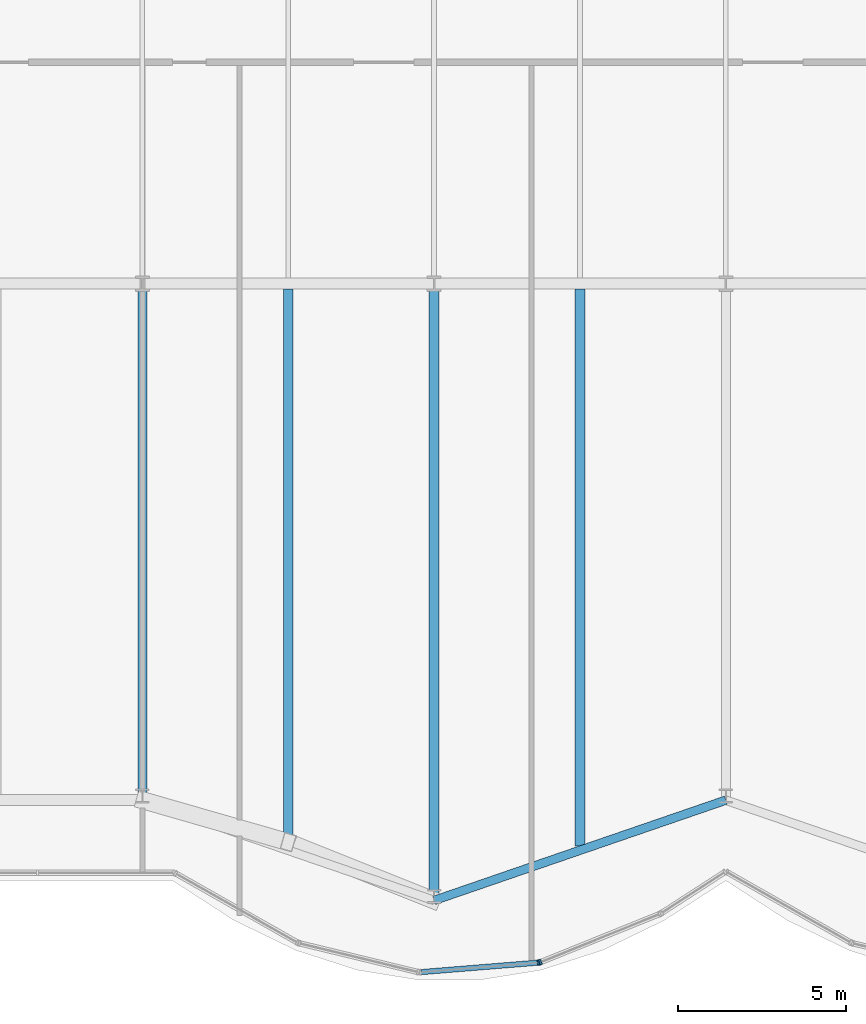
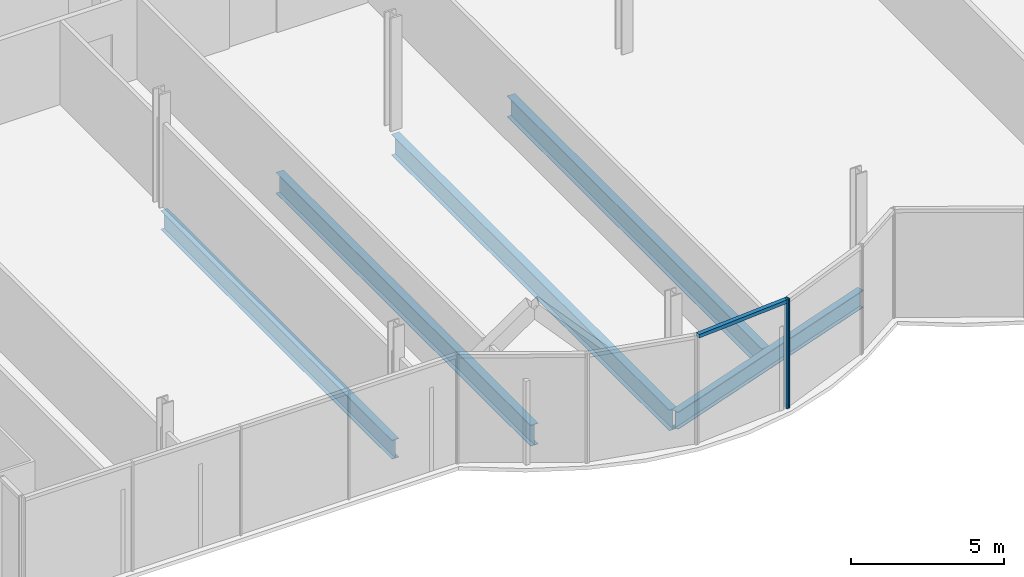
# One storey, part 5 of 21: 5 beams, 3 members, 1 element without a shape of its own.
"""IFC4 building model written with IfcOpenShell, lengths in metres."""

from ifc_helpers import new_model, si_unit, direction, frame, origin, origin_2d, place, context, subcontext, project, spatial, rectangle, i_section, extrude, material, material_profile, profile_set, type_object, element, aggregate, save


model = new_model("IFC4")

# Units and contexts
model_context = context("Model", 3, precision=1e-05, world=origin(), true_north=direction((0.0, 1.0)))
body_context = subcontext(model_context, "Body", "Model", "MODEL_VIEW")
ifc_project = project(units=[si_unit("LENGTHUNIT", "METRE"), si_unit("AREAUNIT", "SQUARE_METRE"), si_unit("VOLUMEUNIT", "CUBIC_METRE"), si_unit("PLANEANGLEUNIT", "RADIAN"), si_unit("MASSUNIT", "GRAM", prefix="KILO")], contexts=[model_context])

# Site, building, storey
site_placement = place(None, origin())
site = spatial("IfcSite", under=ifc_project, at=site_placement, CompositionType="ELEMENT")
building_placement = place(site_placement, origin())
building = spatial("IfcBuilding", under=site, at=building_placement, Name="Bicima Exchange Tower", CompositionType="ELEMENT")
storey_placement = place(building_placement, frame((0.0, 0.0, 75.5)))
storey = spatial("IfcBuildingStorey", under=building, at=storey_placement, Name="L15", CompositionType="ELEMENT", Elevation=75.5)

# Beams
ifc_material_1 = material(Name="Steel ASTM A992 Gr 50", Category="steel")
ifc_material_profile_1 = material_profile(ifc_material_1, i_section(OverallWidth=0.2666015625, OverallDepth=0.75439453125, WebThickness=0.01318359375, FlangeThickness=0.01708984375, at=origin_2d()))
ifc_profile_set_1 = profile_set([ifc_material_profile_1], Name="Steel ASTM A992 Gr 50")
beam_type_1 = type_object("IfcBeamType", Name="Floor beam W30x99", PredefinedType="JOIST", material=ifc_profile_set_1)
beam_1_placement = place(storey_placement, frame((-17.39990234375, -22.16259765625, -0.527099609375), z_axis=(0.0, -1.0, 0.0), x_axis=(1.0, 0.0, 0.0)))
element("IfcBeam", 1, at=beam_1_placement, inside=storey, type_object=beam_type_1, Name="Floor beam", PredefinedType="JOIST", context=body_context, shape_type="SweptSolid", body=[
    extrude(i_section(OverallWidth=0.2666015625, OverallDepth=0.75439453125, WebThickness=0.01318359375, FlangeThickness=0.01708984375, at=origin_2d()), origin(), (0.0, 0.0, 1.0), 15.078857421875),
])
ifc_material_profile_2 = material_profile(ifc_material_1, i_section(OverallWidth=0.2919921875, OverallDepth=0.835693359375, WebThickness=0.013916015625, FlangeThickness=0.018798828125, at=origin_2d()))
ifc_profile_set_2 = profile_set([ifc_material_profile_2], Name="Steel ASTM A992 Gr 50")
beam_type_2 = type_object("IfcBeamType", Name="Floor beam W33x118", PredefinedType="JOIST", material=ifc_profile_set_2)
beam_2_placement = place(storey_placement, frame((-13.050048828125, -22.16259765625, -0.56787109375), z_axis=(0.0, -1.0, 0.0), x_axis=(1.0, 0.0, 0.0)))
element("IfcBeam", 2, at=beam_2_placement, inside=storey, type_object=beam_type_2, Name="Floor beam", PredefinedType="JOIST", context=body_context, shape_type="SweptSolid", body=[
    extrude(i_section(OverallWidth=0.2919921875, OverallDepth=0.835693359375, WebThickness=0.013916015625, FlangeThickness=0.018798828125, at=origin_2d()), origin(), (0.0, 0.0, 1.0), 16.601318359375),
])
beam_3_placement = place(storey_placement, frame((-8.699951171875, -22.16259765625, -0.56787109375), z_axis=(0.0, -1.0, 0.0), x_axis=(1.0, 0.0, 0.0)))
element("IfcBeam", 3, at=beam_3_placement, inside=storey, type_object=beam_type_2, Name="Floor beam", PredefinedType="JOIST", context=body_context, shape_type="SweptSolid", body=[
    extrude(i_section(OverallWidth=0.2919921875, OverallDepth=0.835693359375, WebThickness=0.013916015625, FlangeThickness=0.018798828125, at=origin_2d()), origin(), (0.0, 0.0, 1.0), 18.096923828125),
])
beam_4_placement = place(storey_placement, frame((-4.35009765625, -22.16259765625, -0.56787109375), z_axis=(0.0, -1.0, 0.0), x_axis=(1.0, 0.0, 0.0)))
element("IfcBeam", 4, at=beam_4_placement, inside=storey, type_object=beam_type_2, Name="Floor beam", PredefinedType="JOIST", context=body_context, shape_type="SweptSolid", body=[
    extrude(i_section(OverallWidth=0.2919921875, OverallDepth=0.835693359375, WebThickness=0.013916015625, FlangeThickness=0.018798828125, at=origin_2d()), origin(), (0.0, 0.0, 1.0), 16.601318359375),
])
ifc_material_profile_3 = material_profile(ifc_material_1, i_section(OverallWidth=0.256591796875, OverallDepth=0.693359375, WebThickness=0.014404296875, FlangeThickness=0.023681640625, at=origin_2d()))
ifc_profile_set_3 = profile_set([ifc_material_profile_3], Name="Steel ASTM A992 Gr 50")
beam_type_3 = type_object("IfcBeamType", Name="Front girder W27x114", PredefinedType="BEAM", material=ifc_profile_set_3)
beam_5_placement = place(storey_placement, frame((-8.699951171875, -40.39501953125, -0.49658203125), z_axis=(0.945674616091, 0.32511462668, 0.0), x_axis=(-0.32511462668, 0.945674616091, 0.0)))
element("IfcBeam", 5, at=beam_5_placement, inside=storey, type_object=beam_type_3, Name="Front girder", PredefinedType="BEAM", context=body_context, shape_type="SweptSolid", body=[
    extrude(i_section(OverallWidth=0.256591796875, OverallDepth=0.693359375, WebThickness=0.014404296875, FlangeThickness=0.023681640625, at=origin_2d()), origin(), (0.0, 0.0, 1.0), 9.19970703125),
])

# Curtain wall, members
ifc_material_2 = material(Name="Anodised bronze aluminium", Category="aluminium")
curtain_wall_type = type_object("IfcCurtainWallType", Name="Front glass wall", PredefinedType="NOTDEFINED", material=ifc_material_2)
curtain_wall_placement = place(storey_placement, origin())
curtain_wall = element("IfcCurtainWall", 6, at=curtain_wall_placement, inside=storey, type_object=curtain_wall_type, Name="Front glass wall L15 run 6", PredefinedType="NOTDEFINED")
ifc_material_profile_4 = material_profile(ifc_material_2, rectangle(XDim=0.159912109375, YDim=0.06005859375, at=origin_2d()))
ifc_profile_set_4 = profile_set([ifc_material_profile_4], Name="Anodised bronze aluminium")
member_type_1 = type_object("IfcMemberType", Name="Front glass wall mullion 60 x 160", PredefinedType="MULLION", material=ifc_profile_set_4)
member_1_placement = place(storey_placement, frame((-5.583984375, -42.248779296875, 0.0), z_axis=(0.0, 0.0, 1.0), x_axis=(-0.080588612633, 0.99674744821, 0.0)))
member_1 = element("IfcMember", 7, at=member_1_placement, type_object=member_type_1, Name="Front glass wall mullion 2", PredefinedType="MULLION", context=body_context, shape_type="SweptSolid", body=[
    extrude(rectangle(XDim=0.159912109375, YDim=0.06005859375, at=origin_2d()), origin(), (0.0, 0.0, 1.0), 4.35009765625),
])
member_2_placement = place(storey_placement, frame((-5.526123046875, -42.235107421875, 0.0), z_axis=(0.0, 0.0, 1.0), x_axis=(-0.374705304, 0.92714396679, 0.0)))
member_2 = element("IfcMember", 8, at=member_2_placement, type_object=member_type_1, Name="Front glass wall mullion 1", PredefinedType="MULLION", context=body_context, shape_type="SweptSolid", body=[
    extrude(rectangle(XDim=0.159912109375, YDim=0.06005859375, at=origin_2d()), origin(), (0.0, 0.0, 1.0), 4.35009765625),
])
ifc_material_profile_5 = material_profile(ifc_material_2, rectangle(XDim=0.159912109375, YDim=0.139892578125, at=origin_2d()))
ifc_profile_set_5 = profile_set([ifc_material_profile_5], Name="Anodised bronze aluminium")
member_type_2 = type_object("IfcMemberType", Name="Front glass wall transom 140 x 160", PredefinedType="USERDEFINED", material=ifc_profile_set_5)
member_3_placement = place(storey_placement, frame((-9.08837890625, -42.5322265625, 4.280029296875), z_axis=(0.9967456465, 0.080610893699, 0.0), x_axis=(-0.080610893699, 0.9967456465, 0.0)))
member_3 = element("IfcMember", 9, at=member_3_placement, type_object=member_type_2, Name="Front glass wall transom 1.1", ObjectType="TRANSOM", PredefinedType="USERDEFINED", context=body_context, shape_type="SweptSolid", body=[
    extrude(rectangle(XDim=0.159912109375, YDim=0.139892578125, at=origin_2d()), origin(), (0.0, 0.0, 1.0), 3.48583984375),
])
aggregate(curtain_wall, [member_1, member_3, member_2])

save(model, "model.ifc")
